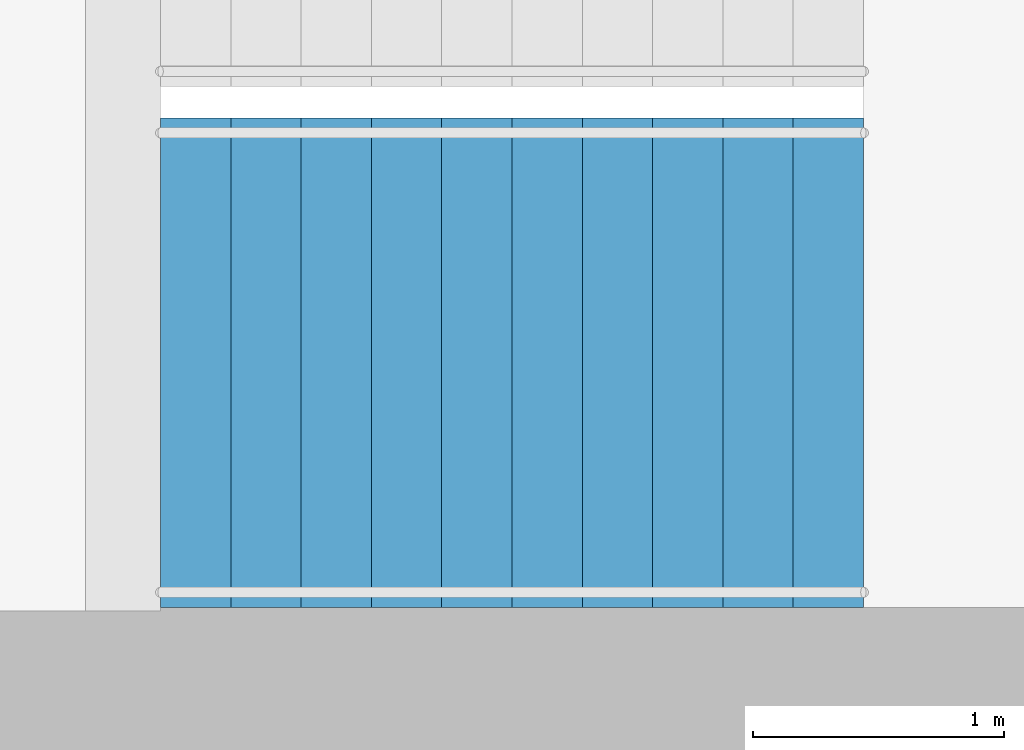
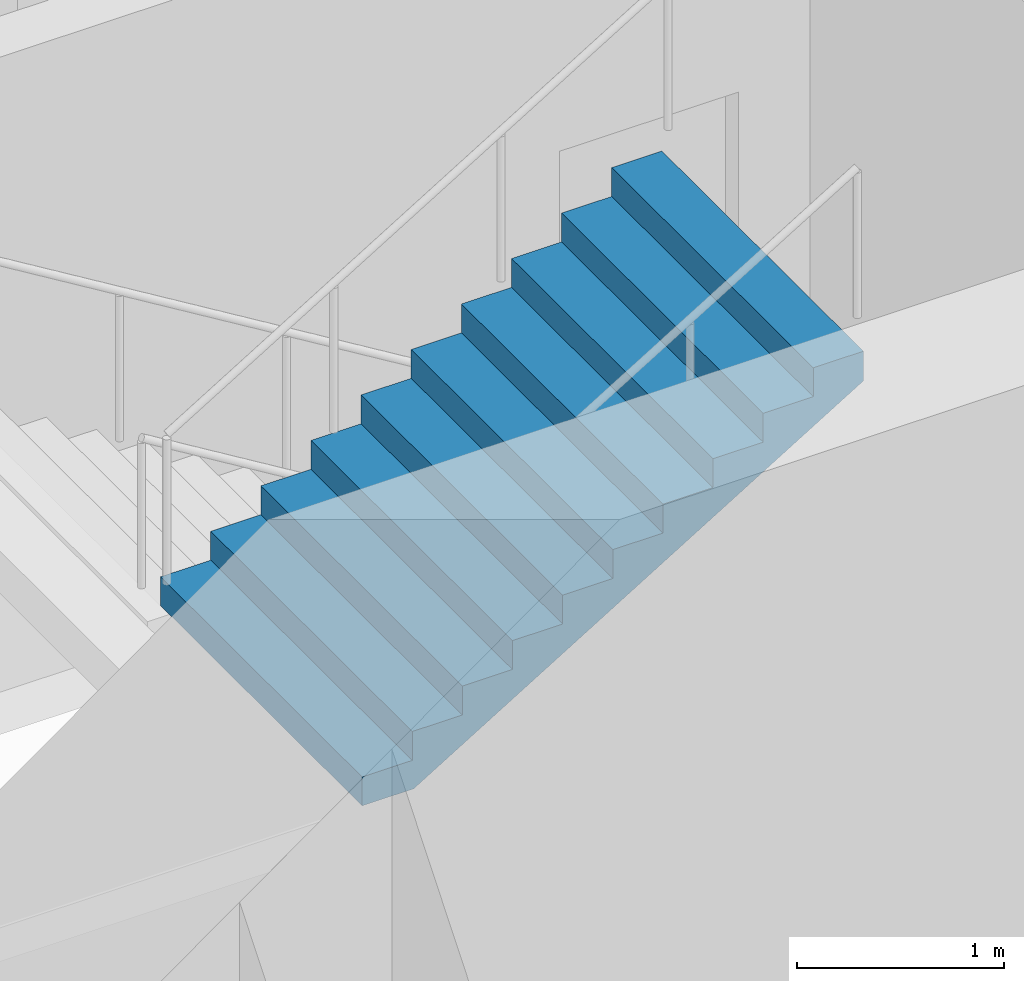
# One storey, part 20 of 22: 1 stair flight, 1 element without a shape of its own.
"""IFC4 building model written with IfcOpenShell, lengths in metres."""

from ifc_helpers import new_model, si_unit, direction, frame, origin, place, context, subcontext, project, spatial, triangles, material, type_object, element, aggregate, save


model = new_model("IFC4")

# Units and contexts
model_context = context("Model", 3, precision=1e-05, world=origin(), true_north=direction((0.0, 1.0)))
body_context = subcontext(model_context, "Body", "Model", "MODEL_VIEW")
ifc_project = project(units=[si_unit("LENGTHUNIT", "METRE"), si_unit("AREAUNIT", "SQUARE_METRE"), si_unit("VOLUMEUNIT", "CUBIC_METRE"), si_unit("PLANEANGLEUNIT", "RADIAN"), si_unit("MASSUNIT", "GRAM", prefix="KILO")], contexts=[model_context])

# Site, building, storey
site_placement = place(None, origin())
site = spatial("IfcSite", under=ifc_project, at=site_placement, CompositionType="ELEMENT")
building_placement = place(site_placement, origin())
building = spatial("IfcBuilding", under=site, at=building_placement, Name="Orbita Commons", CompositionType="ELEMENT")
storey_placement = place(building_placement, frame((0.0, 0.0, 159.85009765625)))
storey = spatial("IfcBuildingStorey", under=building, at=storey_placement, Name="L39", CompositionType="ELEMENT", Elevation=159.85009765625)

# Stair, stair flight
ifc_material_1 = material(Name="Precast concrete C40/50", Category="concrete")
stair_type = type_object("IfcStairType", Name="Exit stair S2 2 flights 11 risers 170", PredefinedType="HALF_TURN_STAIR", material=ifc_material_1)
stair_placement = place(storey_placement, origin())
stair = element("IfcStair", 1, at=stair_placement, inside=storey, type_object=stair_type, Name="Exit stair S2 L39", PredefinedType="HALF_TURN_STAIR")
ifc_material_2 = material(Name="Precast concrete C40/50", Category="concrete")
stair_flight_type = type_object("IfcStairFlightType", Name="Stair flight 11 risers 170 x 280", PredefinedType="STRAIGHT", material=ifc_material_2)
stair_flight_placement = place(storey_placement, frame((60.75, 27.199951171875, 1.875), z_axis=(0.0, 0.0, 1.0), x_axis=(1.0, 0.0, 0.0)))
stair_flight = element("IfcStairFlight", 2, at=stair_flight_placement, type_object=stair_flight_type, Name="S2 flight 2", NumberOfRisers=11, NumberOfTreads=10, PredefinedType="STRAIGHT", RiserHeight=0.170454545, TreadLength=0.28, context=body_context, shape_type="Tessellation", body=[
    triangles([(0.0, 0.974976, 0.0), (0.0, 0.974976, 0.021307), (0.0, 0.81248, 0.021307), (0.0, 0.81248, 0.0), (0.0, 0.649984, 0.021307), (0.0, 0.649984, 0.0), (0.0, 0.487488, 0.021307), (0.0, 0.487488, 0.0), (0.0, 0.324992, 0.021307), (0.0, 0.324992, 0.0), (0.0, 0.162496, 0.021307), (0.0, 0.162496, 0.0), (0.0, 0.0, 0.021307), (0.0, 0.0, 0.0), (0.0, -0.162496, 0.021307), (0.0, -0.162496, 0.0), (0.0, -0.324992, 0.021307), (0.0, -0.324992, 0.0), (0.0, -0.487488, 0.021307), (0.0, -0.487488, 0.0), (0.0, -0.649984, 0.021307), (0.0, -0.649984, 0.0), (0.0, -0.81248, 0.021307), (0.0, -0.81248, 0.0), (0.0, -0.974976, 0.021307), (0.0, -0.974976, 0.0), (0.0, 0.974976, 0.042614), (0.0, 0.81248, 0.042614), (0.0, 0.649984, 0.042614), (0.0, 0.487488, 0.042614), (0.0, 0.324992, 0.042614), (0.0, 0.162496, 0.042614), (0.0, 0.0, 0.042614), (0.0, -0.162496, 0.042614), (0.0, -0.324992, 0.042614), (0.0, -0.487488, 0.042614), (0.0, -0.649984, 0.042614), (0.0, -0.81248, 0.042614), (0.0, -0.974976, 0.042614), (0.0, 0.974976, 0.06392), (0.0, 0.81248, 0.06392), (0.0, 0.649984, 0.06392), (0.0, 0.487488, 0.06392), (0.0, 0.324992, 0.06392), (0.0, 0.162496, 0.06392), (0.0, 0.0, 0.06392), (0.0, -0.162496, 0.06392), (0.0, -0.324992, 0.06392), (0.0, -0.487488, 0.06392), (0.0, -0.649984, 0.06392), (0.0, -0.81248, 0.06392), (0.0, -0.974976, 0.06392), (0.0, 0.974976, 0.085227), (0.0, 0.81248, 0.085227), (0.0, 0.649984, 0.085227), (0.0, 0.487488, 0.085227), (0.0, 0.324992, 0.085227), (0.0, 0.162496, 0.085227), (0.0, 0.0, 0.085227), (0.0, -0.162496, 0.085227), (0.0, -0.324992, 0.085227), (0.0, -0.487488, 0.085227), (0.0, -0.649984, 0.085227), (0.0, -0.81248, 0.085227), (0.0, -0.974976, 0.085227), (0.0, 0.974976, 0.106534), (0.0, 0.81248, 0.106534), (0.0, 0.649984, 0.106534), (0.0, 0.487488, 0.106534), (0.0, 0.324992, 0.106534), (0.0, 0.162496, 0.106534), (0.0, 0.0, 0.106534), (0.0, -0.162496, 0.106534), (0.0, -0.324992, 0.106534), (0.0, -0.487488, 0.106534), (0.0, -0.649984, 0.106534), (0.0, -0.81248, 0.106534), (0.0, -0.974976, 0.106534), (0.0, 0.974976, 0.127841), (0.0, 0.81248, 0.127841), (0.0, 0.649984, 0.127841), (0.0, 0.487488, 0.127841), (0.0, 0.324992, 0.127841), (0.0, 0.162496, 0.127841), (0.0, 0.0, 0.127841), (0.0, -0.162496, 0.127841), (0.0, -0.324992, 0.127841), (0.0, -0.487488, 0.127841), (0.0, -0.649984, 0.127841), (0.0, -0.81248, 0.127841), (0.0, -0.974976, 0.127841), (0.0, 0.974976, 0.149148), (0.0, 0.81248, 0.149148), (0.0, 0.649984, 0.149148), (0.0, 0.487488, 0.149148), (0.0, 0.324992, 0.149148), (0.0, 0.162496, 0.149148), (0.0, 0.0, 0.149148), (0.0, -0.162496, 0.149148), (0.0, -0.324992, 0.149148), (0.0, -0.487488, 0.149148), (0.0, -0.649984, 0.149148), (0.0, -0.81248, 0.149148), (0.0, -0.974976, 0.149148), (0.0, 0.974976, 0.170455), (0.0, 0.81248, 0.170455), (0.0, 0.649984, 0.170455), (0.0, 0.487488, 0.170455), (0.0, 0.324992, 0.170455), (0.0, 0.162496, 0.170455), (0.0, 0.0, 0.170455), (0.0, -0.162496, 0.170455), (0.0, -0.324992, 0.170455), (0.0, -0.487488, 0.170455), (0.0, -0.649984, 0.170455), (0.0, -0.81248, 0.170455), (0.0, -0.974976, 0.170455), (0.28, 0.974976, 0.170455), (0.28, 0.81248, 0.170455), (0.28, 0.649984, 0.170455), (0.28, 0.487488, 0.170455), (0.28, 0.324992, 0.170455), (0.28, 0.162496, 0.170455), (0.28, 0.0, 0.170455), (0.28, -0.162496, 0.170455), (0.28, -0.324992, 0.170455), (0.28, -0.487488, 0.170455), (0.28, -0.649984, 0.170455), (0.28, -0.81248, 0.170455), (0.28, -0.974976, 0.170455), (0.28, 0.974976, 0.340909), (0.28, 0.81248, 0.340909), (0.28, 0.649984, 0.340909), (0.28, 0.487488, 0.340909), (0.28, 0.324992, 0.340909), (0.28, 0.162496, 0.340909), (0.28, 0.0, 0.340909), (0.28, -0.162496, 0.340909), (0.28, -0.324992, 0.340909), (0.28, -0.487488, 0.340909), (0.28, -0.649984, 0.340909), (0.28, -0.81248, 0.340909), (0.28, -0.974976, 0.340909), (0.56, 0.974976, 0.340909), (0.56, 0.81248, 0.340909), (0.56, 0.649984, 0.340909), (0.56, 0.487488, 0.340909), (0.56, 0.324992, 0.340909), (0.56, 0.162496, 0.340909), (0.56, 0.0, 0.340909), (0.56, -0.162496, 0.340909), (0.56, -0.324992, 0.340909), (0.56, -0.487488, 0.340909), (0.56, -0.649984, 0.340909), (0.56, -0.81248, 0.340909), (0.56, -0.974976, 0.340909), (0.56, 0.974976, 0.511364), (0.56, 0.81248, 0.511364), (0.56, 0.649984, 0.511364), (0.56, 0.487488, 0.511364), (0.56, 0.324992, 0.511364), (0.56, 0.162496, 0.511364), (0.56, 0.0, 0.511364), (0.56, -0.162496, 0.511364), (0.56, -0.324992, 0.511364), (0.56, -0.487488, 0.511364), (0.56, -0.649984, 0.511364), (0.56, -0.81248, 0.511364), (0.56, -0.974976, 0.511364), (0.84, 0.974976, 0.511364), (0.84, 0.81248, 0.511364), (0.84, 0.649984, 0.511364), (0.84, 0.487488, 0.511364), (0.84, 0.324992, 0.511364), (0.84, 0.162496, 0.511364), (0.84, 0.0, 0.511364), (0.84, -0.162496, 0.511364), (0.84, -0.324992, 0.511364), (0.84, -0.487488, 0.511364), (0.84, -0.649984, 0.511364), (0.84, -0.81248, 0.511364), (0.84, -0.974976, 0.511364), (0.84, 0.974976, 0.681818), (0.84, 0.81248, 0.681818), (0.84, 0.649984, 0.681818), (0.84, 0.487488, 0.681818), (0.84, 0.324992, 0.681818), (0.84, 0.162496, 0.681818), (0.84, 0.0, 0.681818), (0.84, -0.162496, 0.681818), (0.84, -0.324992, 0.681818), (0.84, -0.487488, 0.681818), (0.84, -0.649984, 0.681818), (0.84, -0.81248, 0.681818), (0.84, -0.974976, 0.681818), (1.12, 0.974976, 0.681818), (1.12, 0.81248, 0.681818), (1.12, 0.649984, 0.681818), (1.12, 0.487488, 0.681818), (1.12, 0.324992, 0.681818), (1.12, 0.162496, 0.681818), (1.12, 0.0, 0.681818), (1.12, -0.162496, 0.681818), (1.12, -0.324992, 0.681818), (1.12, -0.487488, 0.681818), (1.12, -0.649984, 0.681818), (1.12, -0.81248, 0.681818), (1.12, -0.974976, 0.681818), (1.12, 0.974976, 0.852273), (1.12, 0.81248, 0.852273), (1.12, 0.649984, 0.852273), (1.12, 0.487488, 0.852273), (1.12, 0.324992, 0.852273), (1.12, 0.162496, 0.852273), (1.12, 0.0, 0.852273), (1.12, -0.162496, 0.852273), (1.12, -0.324992, 0.852273), (1.12, -0.487488, 0.852273), (1.12, -0.649984, 0.852273), (1.12, -0.81248, 0.852273), (1.12, -0.974976, 0.852273), (1.4, 0.974976, 0.852273), (1.4, 0.81248, 0.852273), (1.4, 0.649984, 0.852273), (1.4, 0.487488, 0.852273), (1.4, 0.324992, 0.852273), (1.4, 0.162496, 0.852273), (1.4, 0.0, 0.852273), (1.4, -0.162496, 0.852273), (1.4, -0.324992, 0.852273), (1.4, -0.487488, 0.852273), (1.4, -0.649984, 0.852273), (1.4, -0.81248, 0.852273), (1.4, -0.974976, 0.852273), (1.4, 0.974976, 1.022727), (1.4, 0.81248, 1.022727), (1.4, 0.649984, 1.022727), (1.4, 0.487488, 1.022727), (1.4, 0.324992, 1.022727), (1.4, 0.162496, 1.022727), (1.4, 0.0, 1.022727), (1.4, -0.162496, 1.022727), (1.4, -0.324992, 1.022727), (1.4, -0.487488, 1.022727), (1.4, -0.649984, 1.022727), (1.4, -0.81248, 1.022727), (1.4, -0.974976, 1.022727), (1.68, 0.974976, 1.022727), (1.68, 0.81248, 1.022727), (1.68, 0.649984, 1.022727), (1.68, 0.487488, 1.022727), (1.68, 0.324992, 1.022727), (1.68, 0.162496, 1.022727), (1.68, 0.0, 1.022727), (1.68, -0.162496, 1.022727), (1.68, -0.324992, 1.022727), (1.68, -0.487488, 1.022727), (1.68, -0.649984, 1.022727), (1.68, -0.81248, 1.022727), (1.68, -0.974976, 1.022727), (1.68, 0.974976, 1.193182), (1.68, 0.81248, 1.193182), (1.68, 0.649984, 1.193182), (1.68, 0.487488, 1.193182), (1.68, 0.324992, 1.193182), (1.68, 0.162496, 1.193182), (1.68, 0.0, 1.193182), (1.68, -0.162496, 1.193182), (1.68, -0.324992, 1.193182), (1.68, -0.487488, 1.193182), (1.68, -0.649984, 1.193182), (1.68, -0.81248, 1.193182), (1.68, -0.974976, 1.193182), (1.96, 0.974976, 1.193182), (1.96, 0.81248, 1.193182), (1.96, 0.649984, 1.193182), (1.96, 0.487488, 1.193182), (1.96, 0.324992, 1.193182), (1.96, 0.162496, 1.193182), (1.96, 0.0, 1.193182), (1.96, -0.162496, 1.193182), (1.96, -0.324992, 1.193182), (1.96, -0.487488, 1.193182), (1.96, -0.649984, 1.193182), (1.96, -0.81248, 1.193182), (1.96, -0.974976, 1.193182), (1.96, 0.974976, 1.363636), (1.96, 0.81248, 1.363636), (1.96, 0.649984, 1.363636), (1.96, 0.487488, 1.363636), (1.96, 0.324992, 1.363636), (1.96, 0.162496, 1.363636), (1.96, 0.0, 1.363636), (1.96, -0.162496, 1.363636), (1.96, -0.324992, 1.363636), (1.96, -0.487488, 1.363636), (1.96, -0.649984, 1.363636), (1.96, -0.81248, 1.363636), (1.96, -0.974976, 1.363636), (2.24, 0.974976, 1.363636), (2.24, 0.81248, 1.363636), (2.24, 0.649984, 1.363636), (2.24, 0.487488, 1.363636), (2.24, 0.324992, 1.363636), (2.24, 0.162496, 1.363636), (2.24, 0.0, 1.363636), (2.24, -0.162496, 1.363636), (2.24, -0.324992, 1.363636), (2.24, -0.487488, 1.363636), (2.24, -0.649984, 1.363636), (2.24, -0.81248, 1.363636), (2.24, -0.974976, 1.363636), (2.24, 0.974976, 1.534091), (2.24, 0.81248, 1.534091), (2.24, 0.649984, 1.534091), (2.24, 0.487488, 1.534091), (2.24, 0.324992, 1.534091), (2.24, 0.162496, 1.534091), (2.24, 0.0, 1.534091), (2.24, -0.162496, 1.534091), (2.24, -0.324992, 1.534091), (2.24, -0.487488, 1.534091), (2.24, -0.649984, 1.534091), (2.24, -0.81248, 1.534091), (2.24, -0.974976, 1.534091), (2.52, 0.974976, 1.534091), (2.52, 0.81248, 1.534091), (2.52, 0.649984, 1.534091), (2.52, 0.487488, 1.534091), (2.52, 0.324992, 1.534091), (2.52, 0.162496, 1.534091), (2.52, 0.0, 1.534091), (2.52, -0.162496, 1.534091), (2.52, -0.324992, 1.534091), (2.52, -0.487488, 1.534091), (2.52, -0.649984, 1.534091), (2.52, -0.81248, 1.534091), (2.52, -0.974976, 1.534091), (2.52, 0.974976, 1.704545), (2.52, 0.81248, 1.704545), (2.52, 0.649984, 1.704545), (2.52, 0.487488, 1.704545), (2.52, 0.324992, 1.704545), (2.52, 0.162496, 1.704545), (2.52, 0.0, 1.704545), (2.52, -0.162496, 1.704545), (2.52, -0.324992, 1.704545), (2.52, -0.487488, 1.704545), (2.52, -0.649984, 1.704545), (2.52, -0.81248, 1.704545), (2.52, -0.974976, 1.704545), (2.8, 0.974976, 1.704545), (2.8, 0.81248, 1.704545), (2.8, 0.649984, 1.704545), (2.8, 0.487488, 1.704545), (2.8, 0.324992, 1.704545), (2.8, 0.162496, 1.704545), (2.8, 0.0, 1.704545), (2.8, -0.162496, 1.704545), (2.8, -0.324992, 1.704545), (2.8, -0.487488, 1.704545), (2.8, -0.649984, 1.704545), (2.8, -0.81248, 1.704545), (2.8, -0.974976, 1.704545), (2.8, 0.974976, 1.682609), (2.8, 0.81248, 1.682609), (2.8, 0.649984, 1.682609), (2.8, 0.487488, 1.682609), (2.8, 0.324992, 1.682609), (2.8, 0.162496, 1.682609), (2.8, 0.0, 1.682609), (2.8, -0.162496, 1.682609), (2.8, -0.324992, 1.682609), (2.8, -0.487488, 1.682609), (2.8, -0.649984, 1.682609), (2.8, -0.81248, 1.682609), (2.8, -0.974976, 1.682609), (2.8, 0.974976, 1.660672), (2.8, 0.81248, 1.660672), (2.8, 0.649984, 1.660672), (2.8, 0.487488, 1.660672), (2.8, 0.324992, 1.660672), (2.8, 0.162496, 1.660672), (2.8, 0.0, 1.660672), (2.8, -0.162496, 1.660672), (2.8, -0.324992, 1.660672), (2.8, -0.487488, 1.660672), (2.8, -0.649984, 1.660672), (2.8, -0.81248, 1.660672), (2.8, -0.974976, 1.660672), (2.8, 0.974976, 1.638735), (2.8, 0.81248, 1.638735), (2.8, 0.649984, 1.638735), (2.8, 0.487488, 1.638735), (2.8, 0.324992, 1.638735), (2.8, 0.162496, 1.638735), (2.8, 0.0, 1.638735), (2.8, -0.162496, 1.638735), (2.8, -0.324992, 1.638735), (2.8, -0.487488, 1.638735), (2.8, -0.649984, 1.638735), (2.8, -0.81248, 1.638735), (2.8, -0.974976, 1.638735), (2.8, 0.974976, 1.616798), (2.8, 0.81248, 1.616798), (2.8, 0.649984, 1.616798), (2.8, 0.487488, 1.616798), (2.8, 0.324992, 1.616798), (2.8, 0.162496, 1.616798), (2.8, 0.0, 1.616798), (2.8, -0.162496, 1.616798), (2.8, -0.324992, 1.616798), (2.8, -0.487488, 1.616798), (2.8, -0.649984, 1.616798), (2.8, -0.81248, 1.616798), (2.8, -0.974976, 1.616798), (2.8, 0.974976, 1.594861), (2.8, 0.81248, 1.594861), (2.8, 0.649984, 1.594861), (2.8, 0.487488, 1.594861), (2.8, 0.324992, 1.594861), (2.8, 0.162496, 1.594861), (2.8, 0.0, 1.594861), (2.8, -0.162496, 1.594861), (2.8, -0.324992, 1.594861), (2.8, -0.487488, 1.594861), (2.8, -0.649984, 1.594861), (2.8, -0.81248, 1.594861), (2.8, -0.974976, 1.594861), (2.8, 0.974976, 1.572925), (2.8, 0.81248, 1.572925), (2.8, 0.649984, 1.572925), (2.8, 0.487488, 1.572925), (2.8, 0.324992, 1.572925), (2.8, 0.162496, 1.572925), (2.8, 0.0, 1.572925), (2.8, -0.162496, 1.572925), (2.8, -0.324992, 1.572925), (2.8, -0.487488, 1.572925), (2.8, -0.649984, 1.572925), (2.8, -0.81248, 1.572925), (2.8, -0.974976, 1.572925), (2.8, 0.974976, 1.550988), (2.8, 0.81248, 1.550988), (2.8, 0.649984, 1.550988), (2.8, 0.487488, 1.550988), (2.8, 0.324992, 1.550988), (2.8, 0.162496, 1.550988), (2.8, 0.0, 1.550988), (2.8, -0.162496, 1.550988), (2.8, -0.324992, 1.550988), (2.8, -0.487488, 1.550988), (2.8, -0.649984, 1.550988), (2.8, -0.81248, 1.550988), (2.8, -0.974976, 1.550988), (2.8, 0.974976, 1.529051), (2.8, 0.81248, 1.529051), (2.8, 0.649984, 1.529051), (2.8, 0.487488, 1.529051), (2.8, 0.324992, 1.529051), (2.8, 0.162496, 1.529051), (2.8, 0.0, 1.529051), (2.8, -0.162496, 1.529051), (2.8, -0.324992, 1.529051), (2.8, -0.487488, 1.529051), (2.8, -0.649984, 1.529051), (2.8, -0.81248, 1.529051), (2.8, -0.974976, 1.529051), (0.288279, 0.974976, 0.0), (0.288279, 0.81248, 0.0), (0.288279, 0.649984, 0.0), (0.288279, 0.487488, 0.0), (0.288279, 0.324992, 0.0), (0.288279, 0.162496, 0.0), (0.288279, 0.0, 0.0), (0.288279, -0.162496, 0.0), (0.288279, -0.324992, 0.0), (0.288279, -0.487488, 0.0), (0.288279, -0.649984, 0.0), (0.288279, -0.81248, 0.0), (0.288279, -0.974976, 0.0)], [[3, 2, 1], [4, 3, 1], [5, 3, 4], [6, 5, 4], [7, 5, 6], [8, 7, 6], [9, 7, 8], [10, 9, 8], [11, 9, 10], [12, 11, 10], [13, 11, 12], [14, 13, 12], [15, 13, 14], [16, 15, 14], [17, 15, 16], [18, 17, 16], [19, 17, 18], [20, 19, 18], [21, 19, 20], [22, 21, 20], [23, 21, 22], [24, 23, 22], [25, 23, 24], [26, 25, 24], [28, 27, 2], [3, 28, 2], [29, 28, 3], [5, 29, 3], [30, 29, 5], [7, 30, 5], [31, 30, 7], [9, 31, 7], [32, 31, 9], [11, 32, 9], [33, 32, 11], [13, 33, 11], [34, 33, 13], [15, 34, 13], [35, 34, 15], [17, 35, 15], [36, 35, 17], [19, 36, 17], [37, 36, 19], [21, 37, 19], [38, 37, 21], [23, 38, 21], [39, 38, 23], [25, 39, 23], [41, 40, 27], [28, 41, 27], [42, 41, 28], [29, 42, 28], [43, 42, 29], [30, 43, 29], [44, 43, 30], [31, 44, 30], [45, 44, 31], [32, 45, 31], [46, 45, 32], [33, 46, 32], [47, 46, 33], [34, 47, 33], [48, 47, 34], [35, 48, 34], [49, 48, 35], [36, 49, 35], [50, 49, 36], [37, 50, 36], [51, 50, 37], [38, 51, 37], [52, 51, 38], [39, 52, 38], [54, 53, 40], [41, 54, 40], [55, 54, 41], [42, 55, 41], [56, 55, 42], [43, 56, 42], [57, 56, 43], [44, 57, 43], [58, 57, 44], [45, 58, 44], [59, 58, 45], [46, 59, 45], [60, 59, 46], [47, 60, 46], [61, 60, 47], [48, 61, 47], [62, 61, 48], [49, 62, 48], [63, 62, 49], [50, 63, 49], [64, 63, 50], [51, 64, 50], [65, 64, 51], [52, 65, 51], [67, 66, 53], [54, 67, 53], [68, 67, 54], [55, 68, 54], [69, 68, 55], [56, 69, 55], [70, 69, 56], [57, 70, 56], [71, 70, 57], [58, 71, 57], [72, 71, 58], [59, 72, 58], [73, 72, 59], [60, 73, 59], [74, 73, 60], [61, 74, 60], [75, 74, 61], [62, 75, 61], [76, 75, 62], [63, 76, 62], [77, 76, 63], [64, 77, 63], [78, 77, 64], [65, 78, 64], [80, 79, 66], [67, 80, 66], [81, 80, 67], [68, 81, 67], [82, 81, 68], [69, 82, 68], [83, 82, 69], [70, 83, 69], [84, 83, 70], [71, 84, 70], [85, 84, 71], [72, 85, 71], [86, 85, 72], [73, 86, 72], [87, 86, 73], [74, 87, 73], [88, 87, 74], [75, 88, 74], [89, 88, 75], [76, 89, 75], [90, 89, 76], [77, 90, 76], [91, 90, 77], [78, 91, 77], [93, 92, 79], [80, 93, 79], [94, 93, 80], [81, 94, 80], [95, 94, 81], [82, 95, 81], [96, 95, 82], [83, 96, 82], [97, 96, 83], [84, 97, 83], [98, 97, 84], [85, 98, 84], [99, 98, 85], [86, 99, 85], [100, 99, 86], [87, 100, 86], [101, 100, 87], [88, 101, 87], [102, 101, 88], [89, 102, 88], [103, 102, 89], [90, 103, 89], [104, 103, 90], [91, 104, 90], [106, 105, 92], [93, 106, 92], [107, 106, 93], [94, 107, 93], [108, 107, 94], [95, 108, 94], [109, 108, 95], [96, 109, 95], [110, 109, 96], [97, 110, 96], [111, 110, 97], [98, 111, 97], [112, 111, 98], [99, 112, 98], [113, 112, 99], [100, 113, 99], [114, 113, 100], [101, 114, 100], [115, 114, 101], [102, 115, 101], [116, 115, 102], [103, 116, 102], [117, 116, 103], [104, 117, 103], [119, 118, 105], [106, 119, 105], [120, 119, 106], [107, 120, 106], [121, 120, 107], [108, 121, 107], [122, 121, 108], [109, 122, 108], [123, 122, 109], [110, 123, 109], [124, 123, 110], [111, 124, 110], [125, 124, 111], [112, 125, 111], [126, 125, 112], [113, 126, 112], [127, 126, 113], [114, 127, 113], [128, 127, 114], [115, 128, 114], [129, 128, 115], [116, 129, 115], [130, 129, 116], [117, 130, 116], [132, 131, 118], [119, 132, 118], [133, 132, 119], [120, 133, 119], [134, 133, 120], [121, 134, 120], [135, 134, 121], [122, 135, 121], [136, 135, 122], [123, 136, 122], [137, 136, 123], [124, 137, 123], [138, 137, 124], [125, 138, 124], [139, 138, 125], [126, 139, 125], [140, 139, 126], [127, 140, 126], [141, 140, 127], [128, 141, 127], [142, 141, 128], [129, 142, 128], [143, 142, 129], [130, 143, 129], [145, 144, 131], [132, 145, 131], [146, 145, 132], [133, 146, 132], [147, 146, 133], [134, 147, 133], [148, 147, 134], [135, 148, 134], [149, 148, 135], [136, 149, 135], [150, 149, 136], [137, 150, 136], [151, 150, 137], [138, 151, 137], [152, 151, 138], [139, 152, 138], [153, 152, 139], [140, 153, 139], [154, 153, 140], [141, 154, 140], [155, 154, 141], [142, 155, 141], [156, 155, 142], [143, 156, 142], [158, 157, 144], [145, 158, 144], [159, 158, 145], [146, 159, 145], [160, 159, 146], [147, 160, 146], [161, 160, 147], [148, 161, 147], [162, 161, 148], [149, 162, 148], [163, 162, 149], [150, 163, 149], [164, 163, 150], [151, 164, 150], [165, 164, 151], [152, 165, 151], [166, 165, 152], [153, 166, 152], [167, 166, 153], [154, 167, 153], [168, 167, 154], [155, 168, 154], [169, 168, 155], [156, 169, 155], [171, 170, 157], [158, 171, 157], [172, 171, 158], [159, 172, 158], [173, 172, 159], [160, 173, 159], [174, 173, 160], [161, 174, 160], [175, 174, 161], [162, 175, 161], [176, 175, 162], [163, 176, 162], [177, 176, 163], [164, 177, 163], [178, 177, 164], [165, 178, 164], [179, 178, 165], [166, 179, 165], [180, 179, 166], [167, 180, 166], [181, 180, 167], [168, 181, 167], [182, 181, 168], [169, 182, 168], [184, 183, 170], [171, 184, 170], [185, 184, 171], [172, 185, 171], [186, 185, 172], [173, 186, 172], [187, 186, 173], [174, 187, 173], [188, 187, 174], [175, 188, 174], [189, 188, 175], [176, 189, 175], [190, 189, 176], [177, 190, 176], [191, 190, 177], [178, 191, 177], [192, 191, 178], [179, 192, 178], [193, 192, 179], [180, 193, 179], [194, 193, 180], [181, 194, 180], [195, 194, 181], [182, 195, 181], [197, 196, 183], [184, 197, 183], [198, 197, 184], [185, 198, 184], [199, 198, 185], [186, 199, 185], [200, 199, 186], [187, 200, 186], [201, 200, 187], [188, 201, 187], [202, 201, 188], [189, 202, 188], [203, 202, 189], [190, 203, 189], [204, 203, 190], [191, 204, 190], [205, 204, 191], [192, 205, 191], [206, 205, 192], [193, 206, 192], [207, 206, 193], [194, 207, 193], [208, 207, 194], [195, 208, 194], [210, 209, 196], [197, 210, 196], [211, 210, 197], [198, 211, 197], [212, 211, 198], [199, 212, 198], [213, 212, 199], [200, 213, 199], [214, 213, 200], [201, 214, 200], [215, 214, 201], [202, 215, 201], [216, 215, 202], [203, 216, 202], [217, 216, 203], [204, 217, 203], [218, 217, 204], [205, 218, 204], [219, 218, 205], [206, 219, 205], [220, 219, 206], [207, 220, 206], [221, 220, 207], [208, 221, 207], [223, 222, 209], [210, 223, 209], [224, 223, 210], [211, 224, 210], [225, 224, 211], [212, 225, 211], [226, 225, 212], [213, 226, 212], [227, 226, 213], [214, 227, 213], [228, 227, 214], [215, 228, 214], [229, 228, 215], [216, 229, 215], [230, 229, 216], [217, 230, 216], [231, 230, 217], [218, 231, 217], [232, 231, 218], [219, 232, 218], [233, 232, 219], [220, 233, 219], [234, 233, 220], [221, 234, 220], [236, 235, 222], [223, 236, 222], [237, 236, 223], [224, 237, 223], [238, 237, 224], [225, 238, 224], [239, 238, 225], [226, 239, 225], [240, 239, 226], [227, 240, 226], [241, 240, 227], [228, 241, 227], [242, 241, 228], [229, 242, 228], [243, 242, 229], [230, 243, 229], [244, 243, 230], [231, 244, 230], [245, 244, 231], [232, 245, 231], [246, 245, 232], [233, 246, 232], [247, 246, 233], [234, 247, 233], [249, 248, 235], [236, 249, 235], [250, 249, 236], [237, 250, 236], [251, 250, 237], [238, 251, 237], [252, 251, 238], [239, 252, 238], [253, 252, 239], [240, 253, 239], [254, 253, 240], [241, 254, 240], [255, 254, 241], [242, 255, 241], [256, 255, 242], [243, 256, 242], [257, 256, 243], [244, 257, 243], [258, 257, 244], [245, 258, 244], [259, 258, 245], [246, 259, 245], [260, 259, 246], [247, 260, 246], [262, 261, 248], [249, 262, 248], [263, 262, 249], [250, 263, 249], [264, 263, 250], [251, 264, 250], [265, 264, 251], [252, 265, 251], [266, 265, 252], [253, 266, 252], [267, 266, 253], [254, 267, 253], [268, 267, 254], [255, 268, 254], [269, 268, 255], [256, 269, 255], [270, 269, 256], [257, 270, 256], [271, 270, 257], [258, 271, 257], [272, 271, 258], [259, 272, 258], [273, 272, 259], [260, 273, 259], [275, 274, 261], [262, 275, 261], [276, 275, 262], [263, 276, 262], [277, 276, 263], [264, 277, 263], [278, 277, 264], [265, 278, 264], [279, 278, 265], [266, 279, 265], [280, 279, 266], [267, 280, 266], [281, 280, 267], [268, 281, 267], [282, 281, 268], [269, 282, 268], [283, 282, 269], [270, 283, 269], [284, 283, 270], [271, 284, 270], [285, 284, 271], [272, 285, 271], [286, 285, 272], [273, 286, 272], [288, 287, 274], [275, 288, 274], [289, 288, 275], [276, 289, 275], [290, 289, 276], [277, 290, 276], [291, 290, 277], [278, 291, 277], [292, 291, 278], [279, 292, 278], [293, 292, 279], [280, 293, 279], [294, 293, 280], [281, 294, 280], [295, 294, 281], [282, 295, 281], [296, 295, 282], [283, 296, 282], [297, 296, 283], [284, 297, 283], [298, 297, 284], [285, 298, 284], [299, 298, 285], [286, 299, 285], [301, 300, 287], [288, 301, 287], [302, 301, 288], [289, 302, 288], [303, 302, 289], [290, 303, 289], [304, 303, 290], [291, 304, 290], [305, 304, 291], [292, 305, 291], [306, 305, 292], [293, 306, 292], [307, 306, 293], [294, 307, 293], [308, 307, 294], [295, 308, 294], [309, 308, 295], [296, 309, 295], [310, 309, 296], [297, 310, 296], [311, 310, 297], [298, 311, 297], [312, 311, 298], [299, 312, 298], [314, 313, 300], [301, 314, 300], [315, 314, 301], [302, 315, 301], [316, 315, 302], [303, 316, 302], [317, 316, 303], [304, 317, 303], [318, 317, 304], [305, 318, 304], [319, 318, 305], [306, 319, 305], [320, 319, 306], [307, 320, 306], [321, 320, 307], [308, 321, 307], [322, 321, 308], [309, 322, 308], [323, 322, 309], [310, 323, 309], [324, 323, 310], [311, 324, 310], [325, 324, 311], [312, 325, 311], [327, 326, 313], [314, 327, 313], [328, 327, 314], [315, 328, 314], [329, 328, 315], [316, 329, 315], [330, 329, 316], [317, 330, 316], [331, 330, 317], [318, 331, 317], [332, 331, 318], [319, 332, 318], [333, 332, 319], [320, 333, 319], [334, 333, 320], [321, 334, 320], [335, 334, 321], [322, 335, 321], [336, 335, 322], [323, 336, 322], [337, 336, 323], [324, 337, 323], [338, 337, 324], [325, 338, 324], [340, 339, 326], [327, 340, 326], [341, 340, 327], [328, 341, 327], [342, 341, 328], [329, 342, 328], [343, 342, 329], [330, 343, 329], [344, 343, 330], [331, 344, 330], [345, 344, 331], [332, 345, 331], [346, 345, 332], [333, 346, 332], [347, 346, 333], [334, 347, 333], [348, 347, 334], [335, 348, 334], [349, 348, 335], [336, 349, 335], [350, 349, 336], [337, 350, 336], [351, 350, 337], [338, 351, 337], [353, 352, 339], [340, 353, 339], [354, 353, 340], [341, 354, 340], [355, 354, 341], [342, 355, 341], [356, 355, 342], [343, 356, 342], [357, 356, 343], [344, 357, 343], [358, 357, 344], [345, 358, 344], [359, 358, 345], [346, 359, 345], [360, 359, 346], [347, 360, 346], [361, 360, 347], [348, 361, 347], [362, 361, 348], [349, 362, 348], [363, 362, 349], [350, 363, 349], [364, 363, 350], [351, 364, 350], [366, 365, 352], [353, 366, 352], [367, 366, 353], [354, 367, 353], [368, 367, 354], [355, 368, 354], [369, 368, 355], [356, 369, 355], [370, 369, 356], [357, 370, 356], [371, 370, 357], [358, 371, 357], [372, 371, 358], [359, 372, 358], [373, 372, 359], [360, 373, 359], [374, 373, 360], [361, 374, 360], [375, 374, 361], [362, 375, 361], [376, 375, 362], [363, 376, 362], [377, 376, 363], [364, 377, 363], [379, 378, 365], [366, 379, 365], [380, 379, 366], [367, 380, 366], [381, 380, 367], [368, 381, 367], [382, 381, 368], [369, 382, 368], [383, 382, 369], [370, 383, 369], [384, 383, 370], [371, 384, 370], [385, 384, 371], [372, 385, 371], [386, 385, 372], [373, 386, 372], [387, 386, 373], [374, 387, 373], [388, 387, 374], [375, 388, 374], [389, 388, 375], [376, 389, 375], [390, 389, 376], [377, 390, 376], [392, 391, 378], [379, 392, 378], [393, 392, 379], [380, 393, 379], [394, 393, 380], [381, 394, 380], [395, 394, 381], [382, 395, 381], [396, 395, 382], [383, 396, 382], [397, 396, 383], [384, 397, 383], [398, 397, 384], [385, 398, 384], [399, 398, 385], [386, 399, 385], [400, 399, 386], [387, 400, 386], [401, 400, 387], [388, 401, 387], [402, 401, 388], [389, 402, 388], [403, 402, 389], [390, 403, 389], [405, 404, 391], [392, 405, 391], [406, 405, 392], [393, 406, 392], [407, 406, 393], [394, 407, 393], [408, 407, 394], [395, 408, 394], [409, 408, 395], [396, 409, 395], [410, 409, 396], [397, 410, 396], [411, 410, 397], [398, 411, 397], [412, 411, 398], [399, 412, 398], [413, 412, 399], [400, 413, 399], [414, 413, 400], [401, 414, 400], [415, 414, 401], [402, 415, 401], [416, 415, 402], [403, 416, 402], [418, 417, 404], [405, 418, 404], [419, 418, 405], [406, 419, 405], [420, 419, 406], [407, 420, 406], [421, 420, 407], [408, 421, 407], [422, 421, 408], [409, 422, 408], [423, 422, 409], [410, 423, 409], [424, 423, 410], [411, 424, 410], [425, 424, 411], [412, 425, 411], [426, 425, 412], [413, 426, 412], [427, 426, 413], [414, 427, 413], [428, 427, 414], [415, 428, 414], [429, 428, 415], [416, 429, 415], [431, 430, 417], [418, 431, 417], [432, 431, 418], [419, 432, 418], [433, 432, 419], [420, 433, 419], [434, 433, 420], [421, 434, 420], [435, 434, 421], [422, 435, 421], [436, 435, 422], [423, 436, 422], [437, 436, 423], [424, 437, 423], [438, 437, 424], [425, 438, 424], [439, 438, 425], [426, 439, 425], [440, 439, 426], [427, 440, 426], [441, 440, 427], [428, 441, 427], [442, 441, 428], [429, 442, 428], [444, 443, 430], [431, 444, 430], [445, 444, 431], [432, 445, 431], [446, 445, 432], [433, 446, 432], [447, 446, 433], [434, 447, 433], [448, 447, 434], [435, 448, 434], [449, 448, 435], [436, 449, 435], [450, 449, 436], [437, 450, 436], [451, 450, 437], [438, 451, 437], [452, 451, 438], [439, 452, 438], [453, 452, 439], [440, 453, 439], [454, 453, 440], [441, 454, 440], [455, 454, 441], [442, 455, 441], [457, 456, 443], [444, 457, 443], [458, 457, 444], [445, 458, 444], [459, 458, 445], [446, 459, 445], [460, 459, 446], [447, 460, 446], [461, 460, 447], [448, 461, 447], [462, 461, 448], [449, 462, 448], [463, 462, 449], [450, 463, 449], [464, 463, 450], [451, 464, 450], [465, 464, 451], [452, 465, 451], [466, 465, 452], [453, 466, 452], [467, 466, 453], [454, 467, 453], [468, 467, 454], [455, 468, 454], [470, 469, 456], [457, 470, 456], [471, 470, 457], [458, 471, 457], [472, 471, 458], [459, 472, 458], [473, 472, 459], [460, 473, 459], [474, 473, 460], [461, 474, 460], [475, 474, 461], [462, 475, 461], [476, 475, 462], [463, 476, 462], [477, 476, 463], [464, 477, 463], [478, 477, 464], [465, 478, 464], [479, 478, 465], [466, 479, 465], [480, 479, 466], [467, 480, 466], [481, 480, 467], [468, 481, 467], [4, 1, 469], [470, 4, 469], [6, 4, 470], [471, 6, 470], [8, 6, 471], [472, 8, 471], [10, 8, 472], [473, 10, 472], [12, 10, 473], [474, 12, 473], [14, 12, 474], [475, 14, 474], [16, 14, 475], [476, 16, 475], [18, 16, 476], [477, 18, 476], [20, 18, 477], [478, 20, 477], [22, 20, 478], [479, 22, 478], [24, 22, 479], [480, 24, 479], [26, 24, 480], [481, 26, 480], [456, 469, 1], [26, 481, 468], [443, 456, 1], [26, 468, 455], [430, 443, 1], [26, 455, 442], [417, 430, 1], [26, 442, 429], [404, 417, 1], [26, 429, 416], [391, 404, 1], [26, 416, 403], [378, 391, 1], [26, 403, 390], [365, 378, 1], [26, 390, 377], [339, 352, 365], [377, 364, 351], [326, 339, 365], [377, 351, 338], [300, 313, 326], [338, 325, 312], [300, 326, 365], [377, 338, 312], [274, 287, 300], [312, 299, 286], [274, 300, 365], [377, 312, 286], [248, 261, 274], [286, 273, 260], [248, 274, 365], [377, 286, 260], [222, 235, 248], [260, 247, 234], [222, 248, 365], [377, 260, 234], [196, 209, 222], [234, 221, 208], [196, 222, 365], [377, 234, 208], [170, 183, 196], [208, 195, 182], [170, 196, 365], [377, 208, 182], [144, 157, 170], [182, 169, 156], [144, 170, 365], [377, 182, 156], [118, 131, 144], [156, 143, 130], [118, 144, 365], [377, 156, 130], [118, 365, 1], [26, 377, 130], [92, 105, 118], [130, 117, 104], [79, 92, 118], [130, 104, 91], [66, 79, 118], [130, 91, 78], [53, 66, 118], [130, 78, 65], [40, 53, 118], [130, 65, 52], [27, 40, 118], [130, 52, 39], [2, 27, 118], [130, 39, 25], [1, 2, 118], [130, 25, 26]], closed=True),
])
aggregate(stair, [stair_flight])

save(model, "model.ifc")
